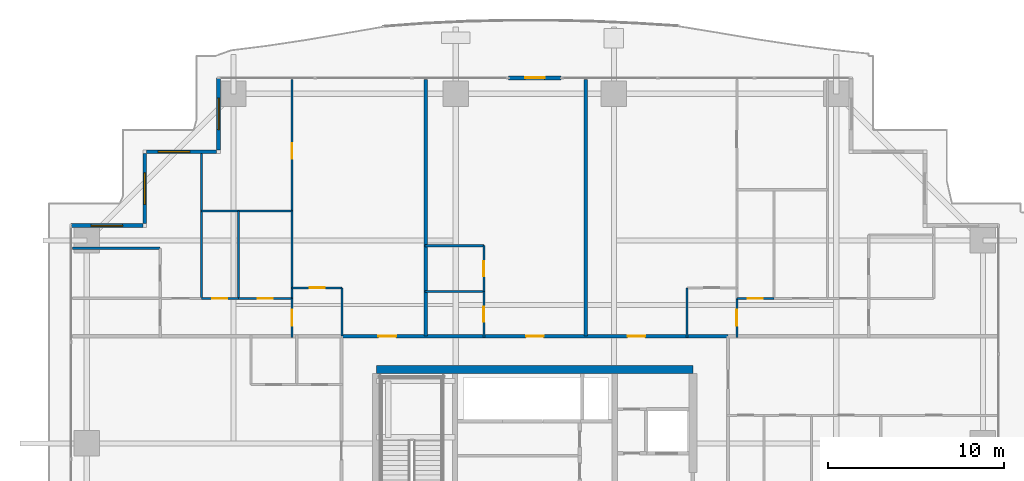
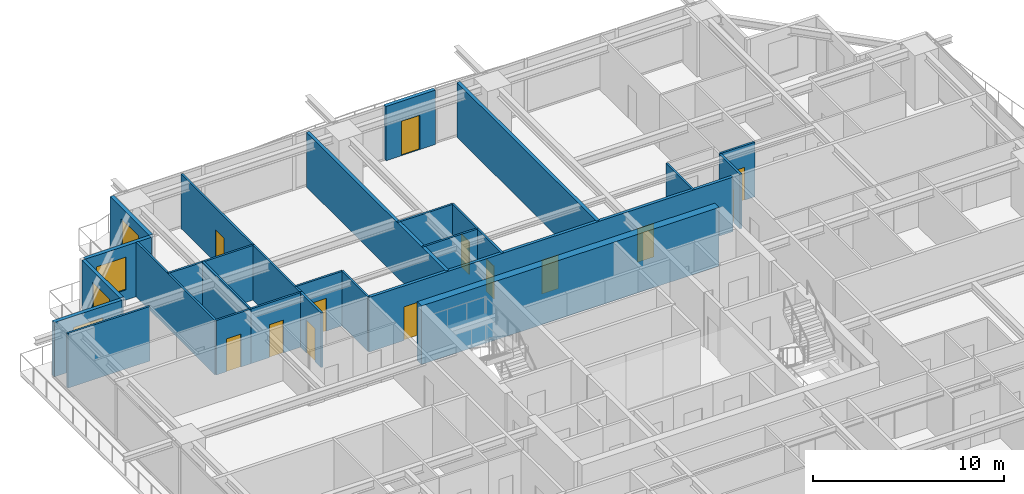
# One storey, part 31 of 38: 27 walls, 13 doors, 4 windows, 17 openings.
"""IFC4 building model written with IfcOpenShell, lengths in metres."""

from ifc_helpers import new_model, si_unit, direction, frame, frame_2d, origin, place, context, subcontext, project, spatial, rectangle, extrude, source, transform, mapped, material, layer, layer_set, type_object, element, fill, save


model = new_model("IFC4")

# Units and contexts
model_context = context("Model", 3, precision=1e-05, world=origin(), true_north=direction((0.0, 1.0)))
body_context = subcontext(model_context, "Body", "Model", "MODEL_VIEW")
ifc_project = project(units=[si_unit("LENGTHUNIT", "METRE"), si_unit("AREAUNIT", "SQUARE_METRE"), si_unit("VOLUMEUNIT", "CUBIC_METRE"), si_unit("PLANEANGLEUNIT", "RADIAN"), si_unit("MASSUNIT", "GRAM", prefix="KILO")], contexts=[model_context])

# Site, building, storey
site_placement = place(None, origin())
site = spatial("IfcSite", under=ifc_project, at=site_placement, CompositionType="ELEMENT")
building_placement = place(site_placement, origin())
building = spatial("IfcBuilding", under=site, at=building_placement, Name="Serunith Strait Residences", CompositionType="ELEMENT")
storey_placement = place(building_placement, frame((0.0, 0.0, 37.949951171875)))
storey = spatial("IfcBuildingStorey", under=building, at=storey_placement, Name="L08", CompositionType="ELEMENT", Elevation=37.949951171875)

# Wall, opening, door
ifc_material_1 = material(Name="Pale-Champagne Aluminium Insulated Panel", Category="aluminium")
ifc_layer_1 = layer(ifc_material_1, 0.219970703125, Name="Pale-Champagne Aluminium Insulated Panel")
ifc_layer_set_1 = layer_set([ifc_layer_1], Name="Pale-Champagne Aluminium Insulated Panel")
wall_type_1 = type_object("IfcWallType", Name="EW-ALUM-220", PredefinedType="ELEMENTEDWALL", material=ifc_layer_set_1)
wall_1_placement = place(storey_placement, frame((33.89990234375, 50.199951171875, 0.0), z_axis=(0.0, 0.0, 1.0), x_axis=(-1.0, 0.0, 0.0)))
wall_1 = element("IfcWall", 1, at=wall_1_placement, inside=storey, type_object=wall_type_1, Name="L08 N Facade Pier Wall", PredefinedType="ELEMENTEDWALL", context=body_context, shape_type="SweptSolid", body=[
    extrude(rectangle(XDim=3.0, YDim=0.219970703125, at=frame_2d((1.5, 0.0))), origin(), (0.0, 0.0, 1.0), 3.47509765625),
])
opening_1_placement = place(wall_1_placement, frame((0.949951171875, 0.0, 0.0)))
opening_1 = element("IfcOpeningElement", 2, at=opening_1_placement, cuts=wall_1, Name="Opening ED-03", PredefinedType="OPENING", context=body_context, shape_type="SweptSolid", body=[
    extrude(rectangle(XDim=1.10009765625, YDim=2.199951171875, at=frame_2d((0.550048828125, 1.10009765625))), frame((0.0, 0.1201171875, 0.0), z_axis=(0.0, -1.0, 0.0), x_axis=(1.0, 0.0, 0.0)), (0.0, 0.0, 1.0), 0.239990234375),
])
ifc_material_2 = material(Name="Thermally-Broken Aluminium Glazed Balcony Door", Category="aluminium")
door_type_1 = type_object("IfcDoorType", Name="ED-BALC-1100", OperationType="NOTDEFINED", PredefinedType="DOOR", material=ifc_material_2)
shared_shape_1 = source(origin(), body_context, "Body", "SweptSolid", [
    extrude(rectangle(XDim=1.10009765625, YDim=2.199951171875, at=frame_2d((0.550048828125, 1.10009765625))), frame((0.0, 0.02490234375, 0.0), z_axis=(0.0, -1.0, 0.0), x_axis=(1.0, 0.0, 0.0)), (0.0, 0.0, 1.0), 0.050048828125),
])
door_1_placement = place(opening_1_placement, origin())
door_1 = element("IfcDoor", 3, at=door_1_placement, inside=storey, type_object=door_type_1, Name="L08 N Vertical-Forest Balcony Door", OperationType="SINGLE_SWING_RIGHT", OverallHeight=2.199951171875, OverallWidth=1.10009765625, PredefinedType="DOOR", context=body_context, shape_type="MappedRepresentation", body=[
    mapped(shared_shape_1, transform((0.0, 0.0, 0.0), scale=1.0)),
])
fill(opening_1, door_1)

# Wall, opening, window
wall_2_placement = place(storey_placement, frame((14.39990234375, 50.199951171875, 0.0), z_axis=(0.0, 0.0, 1.0), x_axis=(0.0, -1.0, 0.0)))
wall_2 = element("IfcWall", 4, at=wall_2_placement, inside=storey, type_object=wall_type_1, Name="L08 Girih Serrated Corner Wall 12", PredefinedType="ELEMENTEDWALL", context=body_context, shape_type="SweptSolid", body=[
    extrude(rectangle(XDim=4.08984375, YDim=0.219970703125, at=frame_2d((2.044921875, 0.0))), origin(), (0.0, 0.0, 1.0), 3.47509765625),
])
opening_2_placement = place(wall_2_placement, frame((1.14501953125, 0.0, 0.64990234375)))
opening_2 = element("IfcOpeningElement", 5, at=opening_2_placement, cuts=wall_2, Name="Opening W-01", PredefinedType="OPENING", context=body_context, shape_type="SweptSolid", body=[
    extrude(rectangle(XDim=1.800048828125, YDim=2.10009765625, at=frame_2d((0.89990234375, 1.050048828125))), frame((0.0, 0.1201171875, 0.0), z_axis=(0.0, -1.0, 0.0), x_axis=(1.0, 0.0, 0.0)), (0.0, 0.0, 1.0), 0.239990234375),
])
ifc_material_3 = material(Name="Ceramic-Fritted Operable Aluminium Window Glass", Category="aluminium")
window_type = type_object("IfcWindowType", Name="WIN-C1", PartitioningType="DOUBLE_PANEL_VERTICAL", PredefinedType="WINDOW", material=ifc_material_3)
shared_shape_2 = source(origin(), body_context, "Body", "SweptSolid", [
    extrude(rectangle(XDim=1.800048828125, YDim=2.10009765625, at=frame_2d((0.89990234375, 1.050048828125))), frame((0.0, 0.030029296875, 0.0), z_axis=(0.0, -1.0, 0.0), x_axis=(1.0, 0.0, 0.0)), (0.0, 0.0, 1.0), 0.06005859375),
])
window_1_placement = place(opening_2_placement, origin())
window_1 = element("IfcWindow", 6, at=window_1_placement, inside=storey, type_object=window_type, Name="L08 Corner Operable Fritted Window 12", OverallHeight=2.10009765625, OverallWidth=1.800048828125, PartitioningType="SINGLE_PANEL", PredefinedType="WINDOW", context=body_context, shape_type="MappedRepresentation", body=[
    mapped(shared_shape_2, transform((0.0, 0.0, 0.0), scale=1.0)),
])
fill(opening_2, window_1)

wall_3_placement = place(storey_placement, frame((14.2900390625, 46.0, 0.0), z_axis=(0.0, 0.0, 1.0), x_axis=(-1.0, 0.0, 0.0)))
wall_3 = element("IfcWall", 7, at=wall_3_placement, inside=storey, type_object=wall_type_1, Name="L08 Girih Serrated Corner Wall 13", PredefinedType="ELEMENTEDWALL", context=body_context, shape_type="SweptSolid", body=[
    extrude(rectangle(XDim=3.97998046875, YDim=0.219970703125, at=frame_2d((1.989990234375, 0.0))), origin(), (0.0, 0.0, 1.0), 3.47509765625),
])
opening_3_placement = place(wall_3_placement, frame((1.52587890625, 0.0, 0.64990234375)))
opening_3 = element("IfcOpeningElement", 8, at=opening_3_placement, cuts=wall_3, Name="Opening W-01", PredefinedType="OPENING", context=body_context, shape_type="SweptSolid", body=[
    extrude(rectangle(XDim=1.800048828125, YDim=2.10009765625, at=frame_2d((0.89990234375, 1.050048828125))), frame((0.0, 0.1201171875, 0.0), z_axis=(0.0, -1.0, 0.0), x_axis=(1.0, 0.0, 0.0)), (0.0, 0.0, 1.0), 0.239990234375),
])
window_2_placement = place(opening_3_placement, origin())
window_2 = element("IfcWindow", 9, at=window_2_placement, inside=storey, type_object=window_type, Name="L08 Corner Operable Fritted Window 13", OverallHeight=2.10009765625, OverallWidth=1.800048828125, PartitioningType="SINGLE_PANEL", PredefinedType="WINDOW", context=body_context, shape_type="MappedRepresentation", body=[
    mapped(shared_shape_2, transform((0.0, 0.0, 0.0), scale=1.0)),
])
fill(opening_3, window_2)

wall_4_placement = place(storey_placement, frame((10.199951171875, 45.889892578125, 0.0), z_axis=(0.0, 0.0, 1.0), x_axis=(0.0, -1.0, 0.0)))
wall_4 = element("IfcWall", 10, at=wall_4_placement, inside=storey, type_object=wall_type_1, Name="L08 Girih Serrated Corner Wall 14", PredefinedType="ELEMENTEDWALL", context=body_context, shape_type="SweptSolid", body=[
    extrude(rectangle(XDim=3.97998046875, YDim=0.219970703125, at=frame_2d((1.989990234375, 0.0))), origin(), (0.0, 0.0, 1.0), 3.47509765625),
])
opening_4_placement = place(wall_4_placement, frame((1.090087890625, 0.0, 0.64990234375)))
opening_4 = element("IfcOpeningElement", 11, at=opening_4_placement, cuts=wall_4, Name="Opening W-01", PredefinedType="OPENING", context=body_context, shape_type="SweptSolid", body=[
    extrude(rectangle(XDim=1.800048828125, YDim=2.10009765625, at=frame_2d((0.89990234375, 1.050048828125))), frame((0.0, 0.1201171875, 0.0), z_axis=(0.0, -1.0, 0.0), x_axis=(1.0, 0.0, 0.0)), (0.0, 0.0, 1.0), 0.239990234375),
])
window_3_placement = place(opening_4_placement, origin())
window_3 = element("IfcWindow", 12, at=window_3_placement, inside=storey, type_object=window_type, Name="L08 Corner Operable Fritted Window 14", OverallHeight=2.10009765625, OverallWidth=1.800048828125, PartitioningType="SINGLE_PANEL", PredefinedType="WINDOW", context=body_context, shape_type="MappedRepresentation", body=[
    mapped(shared_shape_2, transform((0.0, 0.0, 0.0), scale=1.0)),
])
fill(opening_4, window_3)

wall_5_placement = place(storey_placement, frame((10.090087890625, 41.800048828125, 0.0), z_axis=(0.0, 0.0, 1.0), x_axis=(-1.0, 0.0, 0.0)))
wall_5 = element("IfcWall", 13, at=wall_5_placement, inside=storey, type_object=wall_type_1, Name="L08 Girih Serrated Corner Wall 15", PredefinedType="ELEMENTEDWALL", context=body_context, shape_type="SweptSolid", body=[
    extrude(rectangle(XDim=4.090087890625, YDim=0.219970703125, at=frame_2d((2.044921875, 0.0))), origin(), (0.0, 0.0, 1.0), 3.47509765625),
])
opening_5_placement = place(wall_5_placement, frame((1.14501953125, 0.0, 0.64990234375)))
opening_5 = element("IfcOpeningElement", 14, at=opening_5_placement, cuts=wall_5, Name="Opening W-01", PredefinedType="OPENING", context=body_context, shape_type="SweptSolid", body=[
    extrude(rectangle(XDim=1.800048828125, YDim=2.10009765625, at=frame_2d((0.89990234375, 1.050048828125))), frame((0.0, 0.1201171875, 0.0), z_axis=(0.0, -1.0, 0.0), x_axis=(1.0, 0.0, 0.0)), (0.0, 0.0, 1.0), 0.239990234375),
])
window_4_placement = place(opening_5_placement, origin())
window_4 = element("IfcWindow", 15, at=window_4_placement, inside=storey, type_object=window_type, Name="L08 Corner Operable Fritted Window 15", OverallHeight=2.10009765625, OverallWidth=1.800048828125, PartitioningType="SINGLE_PANEL", PredefinedType="WINDOW", context=body_context, shape_type="MappedRepresentation", body=[
    mapped(shared_shape_2, transform((0.0, 0.0, 0.0), scale=1.0)),
])
fill(opening_5, window_4)

# Wall, openings, doors
ifc_material_4 = material(Name="Fire-rated acoustic gypsum partition")
ifc_layer_2 = layer(ifc_material_4, 0.179931640625, Name="Fire-rated acoustic gypsum partition")
ifc_layer_set_2 = layer_set([ifc_layer_2], Name="Fire-rated acoustic gypsum partition")
wall_type_2 = type_object("IfcWallType", Name="IW-CORR-180", PredefinedType="PARTITIONING", material=ifc_layer_set_2)
wall_6_placement = place(storey_placement, frame((21.402099609375, 35.5, 0.0), z_axis=(0.0, 0.0, 1.0), x_axis=(1.0, 0.0, 0.0)))
wall_6 = element("IfcWall", 16, at=wall_6_placement, inside=storey, type_object=wall_type_2, Name="L08 Partition Wall 028", PredefinedType="PARTITIONING", context=body_context, shape_type="SweptSolid", body=[
    extrude(rectangle(XDim=21.995849609375, YDim=0.179931640625, at=frame_2d((10.998046875, 0.0))), origin(), (0.0, 0.0, 1.0), 3.489990234375),
])
opening_6_placement = place(wall_6_placement, frame((2.10009765625, 0.0, 0.0)))
opening_6 = element("IfcOpeningElement", 17, at=opening_6_placement, cuts=wall_6, Name="Opening D-APT1000", PredefinedType="OPENING", context=body_context, shape_type="SweptSolid", body=[
    extrude(rectangle(XDim=1.0, YDim=2.14990234375, at=frame_2d((0.5, 1.074951171875))), frame((0.0, 0.10009765625, 0.0), z_axis=(0.0, -1.0, 0.0), x_axis=(1.0, 0.0, 0.0)), (0.0, 0.0, 1.0), 0.199951171875),
])
opening_7_placement = place(wall_6_placement, frame((10.498046875, 0.0, 0.0)))
opening_7 = element("IfcOpeningElement", 18, at=opening_7_placement, cuts=wall_6, Name="Opening D-APT1000", PredefinedType="OPENING", context=body_context, shape_type="SweptSolid", body=[
    extrude(rectangle(XDim=1.0, YDim=2.14990234375, at=frame_2d((0.5, 1.074951171875))), frame((0.0, 0.10009765625, 0.0), z_axis=(0.0, -1.0, 0.0), x_axis=(1.0, 0.0, 0.0)), (0.0, 0.0, 1.0), 0.199951171875),
])
opening_8_placement = place(wall_6_placement, frame((16.27197265625, 0.0, 0.0)))
opening_8 = element("IfcOpeningElement", 19, at=opening_8_placement, cuts=wall_6, Name="Opening D-APT1000", PredefinedType="OPENING", context=body_context, shape_type="SweptSolid", body=[
    extrude(rectangle(XDim=1.0, YDim=2.14990234375, at=frame_2d((0.5, 1.074951171875))), frame((0.0, 0.10009765625, 0.0), z_axis=(0.0, -1.0, 0.0), x_axis=(1.0, 0.0, 0.0)), (0.0, 0.0, 1.0), 0.199951171875),
])
ifc_material_5 = material(Name="Solid timber engineered fire door", Category="wood")
door_type_2 = type_object("IfcDoorType", Name="ID-APT-1000", OperationType="NOTDEFINED", PredefinedType="DOOR", material=ifc_material_5)
shared_shape_3 = source(origin(), body_context, "Body", "SweptSolid", [
    extrude(rectangle(XDim=1.0, YDim=2.14990234375, at=frame_2d((0.5, 1.074951171875))), frame((0.0, 0.02490234375, 0.0), z_axis=(0.0, -1.0, 0.0), x_axis=(1.0, 0.0, 0.0)), (0.0, 0.0, 1.0), 0.050048828125),
])
door_2_placement = place(opening_6_placement, origin())
door_2 = element("IfcDoor", 20, at=door_2_placement, inside=storey, type_object=door_type_2, Name="L08 Unit 04 Entrance Door", OperationType="SINGLE_SWING_LEFT", OverallHeight=2.14990234375, OverallWidth=1.0, PredefinedType="DOOR", context=body_context, shape_type="MappedRepresentation", body=[
    mapped(shared_shape_3, transform((0.0, 0.0, 0.0), scale=1.0)),
])
fill(opening_6, door_2)
door_3_placement = place(opening_7_placement, origin())
door_3 = element("IfcDoor", 21, at=door_3_placement, inside=storey, type_object=door_type_2, Name="L08 Unit 05 Entrance Door", OperationType="SINGLE_SWING_RIGHT", OverallHeight=2.14990234375, OverallWidth=1.0, PredefinedType="DOOR", context=body_context, shape_type="MappedRepresentation", body=[
    mapped(shared_shape_3, transform((0.0, 0.0, 0.0), scale=1.0)),
])
fill(opening_7, door_3)
door_4_placement = place(opening_8_placement, origin())
door_4 = element("IfcDoor", 22, at=door_4_placement, inside=storey, type_object=door_type_2, Name="L08 Unit 06 Entrance Door", OperationType="SINGLE_SWING_LEFT", OverallHeight=2.14990234375, OverallWidth=1.0, PredefinedType="DOOR", context=body_context, shape_type="MappedRepresentation", body=[
    mapped(shared_shape_3, transform((0.0, 0.0, 0.0), scale=1.0)),
])
fill(opening_8, door_4)

# Wall, opening, door
ifc_material_6 = material(Name="Lightweight steel-stud gypsum partition", Category="steel")
ifc_layer_3 = layer(ifc_material_6, 0.1201171875, Name="Lightweight steel-stud gypsum partition")
ifc_layer_set_3 = layer_set([ifc_layer_3], Name="Lightweight steel-stud gypsum partition")
wall_type_3 = type_object("IfcWallType", Name="IW-PART-120", PredefinedType="PARTITIONING", material=ifc_layer_set_3)
wall_7_placement = place(storey_placement, frame((18.580078125, 38.25, 0.0), z_axis=(0.0, 0.0, 1.0), x_axis=(1.0, 0.0, 0.0)))
wall_7 = element("IfcWall", 23, at=wall_7_placement, inside=storey, type_object=wall_type_3, Name="L08 Partition Wall 068", PredefinedType="PARTITIONING", context=body_context, shape_type="SweptSolid", body=[
    extrude(rectangle(XDim=2.849853515625, YDim=0.1201171875, at=frame_2d((1.4248046875, 0.0))), origin(), (0.0, 0.0, 1.0), 3.489990234375),
])
opening_9_placement = place(wall_7_placement, frame((1.0, 0.0, 0.0)))
opening_9 = element("IfcOpeningElement", 24, at=opening_9_placement, cuts=wall_7, Name="Opening D-RM850", PredefinedType="OPENING", context=body_context, shape_type="SweptSolid", body=[
    extrude(rectangle(XDim=0.85009765625, YDim=2.10009765625, at=frame_2d((0.425048828125, 1.050048828125))), frame((0.0, 0.070068359375, 0.0), z_axis=(0.0, -1.0, 0.0), x_axis=(1.0, 0.0, 0.0)), (0.0, 0.0, 1.0), 0.14013671875),
])
ifc_material_7 = material(Name="Engineered timber flush study and kitchen door", Category="wood")
door_type_3 = type_object("IfcDoorType", Name="ID-ROOM-850", OperationType="NOTDEFINED", PredefinedType="DOOR", material=ifc_material_7)
shared_shape_4 = source(origin(), body_context, "Body", "SweptSolid", [
    extrude(rectangle(XDim=0.85009765625, YDim=2.10009765625, at=frame_2d((0.425048828125, 1.050048828125))), frame((0.0, 0.02490234375, 0.0), z_axis=(0.0, -1.0, 0.0), x_axis=(1.0, 0.0, 0.0)), (0.0, 0.0, 1.0), 0.050048828125),
])
door_5_placement = place(opening_9_placement, origin())
door_5 = element("IfcDoor", 25, at=door_5_placement, inside=storey, type_object=door_type_3, Name="L08 Kitchen 0804 Door", OperationType="SINGLE_SWING_RIGHT", OverallHeight=2.10009765625, OverallWidth=0.85009765625, PredefinedType="DOOR", context=body_context, shape_type="MappedRepresentation", body=[
    mapped(shared_shape_4, transform((0.0, 0.0, 0.0), scale=1.0)),
])
fill(opening_9, door_5)

# Wall
wall_8_placement = place(storey_placement, frame((21.429931640625, 38.25, 0.0), z_axis=(0.0, 0.0, 1.0), x_axis=(0.0, -1.0, 0.0)))
element("IfcWall", 26, at=wall_8_placement, inside=storey, type_object=wall_type_3, Name="L08 Partition Wall 069", PredefinedType="PARTITIONING", context=body_context, shape_type="SweptSolid", body=[
    extrude(rectangle(XDim=2.748046875, YDim=0.1201171875, at=frame_2d((1.3740234375, 0.0))), origin(), (0.0, 0.0, 1.0), 3.489990234375),
])

# Wall, opening, door
wall_9_placement = place(storey_placement, frame((18.580078125, 37.64990234375, 0.0), z_axis=(0.0, 0.0, 1.0), x_axis=(0.0, -1.0, 0.0)))
wall_9 = element("IfcWall", 27, at=wall_9_placement, inside=storey, type_object=wall_type_3, Name="L08 Partition Wall 070", PredefinedType="PARTITIONING", context=body_context, shape_type="SweptSolid", body=[
    extrude(rectangle(XDim=2.2099609375, YDim=0.1201171875, at=frame_2d((1.10498046875, 0.0))), origin(), (0.0, 0.0, 1.0), 3.489990234375),
])
opening_10_placement = place(wall_9_placement, frame((0.655029296875, 0.0, 0.0)))
opening_10 = element("IfcOpeningElement", 28, at=opening_10_placement, cuts=wall_9, Name="Opening D-RM900", PredefinedType="OPENING", context=body_context, shape_type="SweptSolid", body=[
    extrude(rectangle(XDim=0.89990234375, YDim=2.10009765625, at=frame_2d((0.449951171875, 1.050048828125))), frame((0.0, 0.070068359375, 0.0), z_axis=(0.0, -1.0, 0.0), x_axis=(1.0, 0.0, 0.0)), (0.0, 0.0, 1.0), 0.14013671875),
])
ifc_material_8 = material(Name="Engineered timber flush bedroom door", Category="wood")
door_type_4 = type_object("IfcDoorType", Name="ID-ROOM-900", OperationType="NOTDEFINED", PredefinedType="DOOR", material=ifc_material_8)
shared_shape_5 = source(origin(), body_context, "Body", "SweptSolid", [
    extrude(rectangle(XDim=0.89990234375, YDim=2.10009765625, at=frame_2d((0.449951171875, 1.050048828125))), frame((0.0, 0.02490234375, 0.0), z_axis=(0.0, -1.0, 0.0), x_axis=(1.0, 0.0, 0.0)), (0.0, 0.0, 1.0), 0.050048828125),
])
door_6_placement = place(opening_10_placement, origin())
door_6 = element("IfcDoor", 29, at=door_6_placement, inside=storey, type_object=door_type_4, Name="L08 Hall W 0804 Door", OperationType="SINGLE_SWING_LEFT", OverallHeight=2.10009765625, OverallWidth=0.89990234375, PredefinedType="DOOR", context=body_context, shape_type="MappedRepresentation", body=[
    mapped(shared_shape_5, transform((0.0, 0.0, 0.0), scale=1.0)),
])
fill(opening_10, door_6)

wall_10_placement = place(storey_placement, frame((18.580078125, 50.10498046875, 0.0), z_axis=(0.0, 0.0, 1.0), x_axis=(0.0, -1.0, 0.0)))
wall_10 = element("IfcWall", 30, at=wall_10_placement, inside=storey, type_object=wall_type_3, Name="L08 Partition Wall 071", PredefinedType="PARTITIONING", context=body_context, shape_type="SweptSolid", body=[
    extrude(rectangle(XDim=7.47900390625, YDim=0.1201171875, at=frame_2d((3.739501953125, 0.0))), origin(), (0.0, 0.0, 1.0), 3.489990234375),
])
opening_11_placement = place(wall_10_placement, frame((3.617919921875, 0.0, 0.0)))
opening_11 = element("IfcOpeningElement", 31, at=opening_11_placement, cuts=wall_10, Name="Opening D-RM900", PredefinedType="OPENING", context=body_context, shape_type="SweptSolid", body=[
    extrude(rectangle(XDim=0.89990234375, YDim=2.10009765625, at=frame_2d((0.449951171875, 1.050048828125))), frame((0.0, 0.070068359375, 0.0), z_axis=(0.0, -1.0, 0.0), x_axis=(1.0, 0.0, 0.0)), (0.0, 0.0, 1.0), 0.14013671875),
])
door_7_placement = place(opening_11_placement, origin())
door_7 = element("IfcDoor", 32, at=door_7_placement, inside=storey, type_object=door_type_4, Name="L08 Formal Dining Room 1 0804 Door", OperationType="SINGLE_SWING_RIGHT", OverallHeight=2.10009765625, OverallWidth=0.89990234375, PredefinedType="DOOR", context=body_context, shape_type="MappedRepresentation", body=[
    mapped(shared_shape_5, transform((0.0, 0.0, 0.0), scale=1.0)),
])
fill(opening_11, door_7)

# Walls
wall_11_placement = place(storey_placement, frame((18.580078125, 42.6240234375, 0.0), z_axis=(0.0, 0.0, 1.0), x_axis=(0.0, -1.0, 0.0)))
element("IfcWall", 33, at=wall_11_placement, inside=storey, type_object=wall_type_3, Name="L08 Partition Wall 072", PredefinedType="PARTITIONING", context=body_context, shape_type="SweptSolid", body=[
    extrude(rectangle(XDim=4.971923828125, YDim=0.1201171875, at=frame_2d((2.48583984375, 0.0))), origin(), (0.0, 0.0, 1.0), 3.489990234375),
])
wall_12_placement = place(storey_placement, frame((13.429931640625, 42.6259765625, 0.0), z_axis=(0.0, 0.0, 1.0), x_axis=(1.0, 0.0, 0.0)))
element("IfcWall", 34, at=wall_12_placement, inside=storey, type_object=wall_type_3, Name="L08 Partition Wall 073", PredefinedType="PARTITIONING", context=body_context, shape_type="SweptSolid", body=[
    extrude(rectangle(XDim=5.150146484375, YDim=0.1201171875, at=frame_2d((2.5751953125, 0.0))), origin(), (0.0, 0.0, 1.0), 3.489990234375),
])
wall_13_placement = place(storey_placement, frame((13.429931640625, 45.905029296875, 0.0), z_axis=(0.0, 0.0, 1.0), x_axis=(0.0, -1.0, 0.0)))
element("IfcWall", 35, at=wall_13_placement, inside=storey, type_object=wall_type_3, Name="L08 Partition Wall 074", PredefinedType="PARTITIONING", context=body_context, shape_type="SweptSolid", body=[
    extrude(rectangle(XDim=8.255126953125, YDim=0.1201171875, at=frame_2d((4.12744140625, 0.0))), origin(), (0.0, 0.0, 1.0), 3.489990234375),
])
wall_14_placement = place(storey_placement, frame((15.530029296875, 42.6259765625, 0.0), z_axis=(0.0, 0.0, 1.0), x_axis=(0.0, -1.0, 0.0)))
element("IfcWall", 36, at=wall_14_placement, inside=storey, type_object=wall_type_3, Name="L08 Partition Wall 075", PredefinedType="PARTITIONING", context=body_context, shape_type="SweptSolid", body=[
    extrude(rectangle(XDim=4.97607421875, YDim=0.1201171875, at=frame_2d((2.488037109375, 0.0))), origin(), (0.0, 0.0, 1.0), 3.489990234375),
])

# Wall, opening, door
wall_15_placement = place(storey_placement, frame((13.429931640625, 37.64990234375, 0.0), z_axis=(0.0, 0.0, 1.0), x_axis=(1.0, 0.0, 0.0)))
wall_15 = element("IfcWall", 37, at=wall_15_placement, inside=storey, type_object=wall_type_3, Name="L08 Partition Wall 076", PredefinedType="PARTITIONING", context=body_context, shape_type="SweptSolid", body=[
    extrude(rectangle(XDim=2.10009765625, YDim=0.1201171875, at=frame_2d((1.050048828125, 0.0))), origin(), (0.0, 0.0, 1.0), 3.489990234375),
])
opening_12_placement = place(wall_15_placement, frame((0.625, 0.0, 0.0)))
opening_12 = element("IfcOpeningElement", 38, at=opening_12_placement, cuts=wall_15, Name="Opening D-BTH850", PredefinedType="OPENING", context=body_context, shape_type="SweptSolid", body=[
    extrude(rectangle(XDim=0.85009765625, YDim=2.10009765625, at=frame_2d((0.425048828125, 1.050048828125))), frame((0.0, 0.070068359375, 0.0), z_axis=(0.0, -1.0, 0.0), x_axis=(1.0, 0.0, 0.0)), (0.0, 0.0, 1.0), 0.14013671875),
])
ifc_material_9 = material(Name="Moisture-resistant timber bathroom door", Category="wood")
door_type_5 = type_object("IfcDoorType", Name="ID-BATH-850", OperationType="NOTDEFINED", PredefinedType="DOOR", material=ifc_material_9)
door_8_placement = place(opening_12_placement, origin())
door_8 = element("IfcDoor", 39, at=door_8_placement, inside=storey, type_object=door_type_5, Name="L08 Bathroom 0804 Door", OperationType="SINGLE_SWING_LEFT", OverallHeight=2.10009765625, OverallWidth=0.85009765625, PredefinedType="DOOR", context=body_context, shape_type="MappedRepresentation", body=[
    mapped(shared_shape_4, transform((0.0, 0.0, 0.0), scale=1.0)),
])
fill(opening_12, door_8)

wall_16_placement = place(storey_placement, frame((15.531982421875, 37.64990234375, 0.0), z_axis=(0.0, 0.0, 1.0), x_axis=(1.0, 0.0, 0.0)))
wall_16 = element("IfcWall", 40, at=wall_16_placement, inside=storey, type_object=wall_type_3, Name="L08 Partition Wall 077", PredefinedType="PARTITIONING", context=body_context, shape_type="SweptSolid", body=[
    extrude(rectangle(XDim=3.048095703125, YDim=0.1201171875, at=frame_2d((1.52392578125, 0.0))), origin(), (0.0, 0.0, 1.0), 3.489990234375),
])
opening_13_placement = place(wall_16_placement, frame((1.09912109375, 0.0, 0.0)))
opening_13 = element("IfcOpeningElement", 41, at=opening_13_placement, cuts=wall_16, Name="Opening D-RM850", PredefinedType="OPENING", context=body_context, shape_type="SweptSolid", body=[
    extrude(rectangle(XDim=0.85009765625, YDim=2.10009765625, at=frame_2d((0.425048828125, 1.050048828125))), frame((0.0, 0.070068359375, 0.0), z_axis=(0.0, -1.0, 0.0), x_axis=(1.0, 0.0, 0.0)), (0.0, 0.0, 1.0), 0.14013671875),
])
door_9_placement = place(opening_13_placement, origin())
door_9 = element("IfcDoor", 42, at=door_9_placement, inside=storey, type_object=door_type_3, Name="L08 Formal Dining Room 0804 Door", OperationType="SINGLE_SWING_RIGHT", OverallHeight=2.10009765625, OverallWidth=0.85009765625, PredefinedType="DOOR", context=body_context, shape_type="MappedRepresentation", body=[
    mapped(shared_shape_4, transform((0.0, 0.0, 0.0), scale=1.0)),
])
fill(opening_13, door_9)

# Wall
wall_17_placement = place(storey_placement, frame((6.094970703125, 40.506103515625, 0.0), z_axis=(0.0, 0.0, 1.0), x_axis=(1.0, 0.0, 0.0)))
element("IfcWall", 43, at=wall_17_placement, inside=storey, type_object=wall_type_3, Name="L08 Partition Wall 079", PredefinedType="PARTITIONING", context=body_context, shape_type="SweptSolid", body=[
    extrude(rectangle(XDim=4.985107421875, YDim=0.1201171875, at=frame_2d((2.49267578125, 0.0))), origin(), (0.0, 0.0, 1.0), 3.489990234375),
])

# Wall, opening, door
wall_18_placement = place(storey_placement, frame((29.5, 40.64990234375, 0.0), z_axis=(0.0, 0.0, 1.0), x_axis=(0.0, -1.0, 0.0)))
wall_18 = element("IfcWall", 44, at=wall_18_placement, inside=storey, type_object=wall_type_3, Name="L08 Partition Wall 083", PredefinedType="PARTITIONING", context=body_context, shape_type="SweptSolid", body=[
    extrude(rectangle(XDim=2.599853515625, YDim=0.1201171875, at=frame_2d((1.2998046875, 0.0))), origin(), (0.0, 0.0, 1.0), 3.489990234375),
])
opening_14_placement = place(wall_18_placement, frame((0.875, 0.0, 0.0)))
opening_14 = element("IfcOpeningElement", 45, at=opening_14_placement, cuts=wall_18, Name="Opening D-RM850", PredefinedType="OPENING", context=body_context, shape_type="SweptSolid", body=[
    extrude(rectangle(XDim=0.85009765625, YDim=2.10009765625, at=frame_2d((0.425048828125, 1.050048828125))), frame((0.0, 0.070068359375, 0.0), z_axis=(0.0, -1.0, 0.0), x_axis=(1.0, 0.0, 0.0)), (0.0, 0.0, 1.0), 0.14013671875),
])
door_10_placement = place(opening_14_placement, origin())
door_10 = element("IfcDoor", 46, at=door_10_placement, inside=storey, type_object=door_type_3, Name="L08 Kitchen 0805 Door", OperationType="SINGLE_SWING_RIGHT", OverallHeight=2.10009765625, OverallWidth=0.85009765625, PredefinedType="DOOR", context=body_context, shape_type="MappedRepresentation", body=[
    mapped(shared_shape_4, transform((0.0, 0.0, 0.0), scale=1.0)),
])
fill(opening_14, door_10)

wall_19_placement = place(storey_placement, frame((29.5, 38.048095703125, 0.0), z_axis=(0.0, 0.0, 1.0), x_axis=(0.0, -1.0, 0.0)))
wall_19 = element("IfcWall", 47, at=wall_19_placement, inside=storey, type_object=wall_type_3, Name="L08 Partition Wall 084", PredefinedType="PARTITIONING", context=body_context, shape_type="SweptSolid", body=[
    extrude(rectangle(XDim=2.608154296875, YDim=0.1201171875, at=frame_2d((1.30419921875, 0.0))), origin(), (0.0, 0.0, 1.0), 3.489990234375),
])
opening_15_placement = place(wall_19_placement, frame((0.87890625, 0.0, 0.0)))
opening_15 = element("IfcOpeningElement", 48, at=opening_15_placement, cuts=wall_19, Name="Opening D-BTH850", PredefinedType="OPENING", context=body_context, shape_type="SweptSolid", body=[
    extrude(rectangle(XDim=0.85009765625, YDim=2.10009765625, at=frame_2d((0.425048828125, 1.050048828125))), frame((0.0, 0.070068359375, 0.0), z_axis=(0.0, -1.0, 0.0), x_axis=(1.0, 0.0, 0.0)), (0.0, 0.0, 1.0), 0.14013671875),
])
door_11_placement = place(opening_15_placement, origin())
door_11 = element("IfcDoor", 49, at=door_11_placement, inside=storey, type_object=door_type_5, Name="L08 Bathroom 0805 Door", OperationType="SINGLE_SWING_LEFT", OverallHeight=2.10009765625, OverallWidth=0.85009765625, PredefinedType="DOOR", context=body_context, shape_type="MappedRepresentation", body=[
    mapped(shared_shape_4, transform((0.0, 0.0, 0.0), scale=1.0)),
])
fill(opening_15, door_11)

# Walls
for number, where, z_axis, x_axis, name in (
    (50, (26.139892578125, 38.050048828125, 0.0), (0.0, 0.0, 1.0), (1.0, 0.0, 0.0), "L08 Partition Wall 085"),
    (51, (26.139892578125, 40.64990234375, 0.0), (0.0, 0.0, 1.0), (1.0, 0.0, 0.0), "L08 Partition Wall 086"),
):
    element("IfcWall", number, at=place(storey_placement, frame(where, z_axis=z_axis, x_axis=x_axis)), inside=storey, type_object=wall_type_3, Name=name, PredefinedType="PARTITIONING", context=body_context, shape_type="SweptSolid", body=[
        extrude(rectangle(XDim=3.360107421875, YDim=0.1201171875, at=frame_2d((1.68017578125, 0.0))), origin(), (0.0, 0.0, 1.0), 3.489990234375),
    ])
wall_20_placement = place(storey_placement, frame((41.050048828125, 38.25, 0.0), z_axis=(0.0, 0.0, 1.0), x_axis=(0.0, -1.0, 0.0)))
element("IfcWall", 52, at=wall_20_placement, inside=storey, type_object=wall_type_3, Name="L08 Partition Wall 088", PredefinedType="PARTITIONING", context=body_context, shape_type="SweptSolid", body=[
    extrude(rectangle(XDim=2.81005859375, YDim=0.1201171875, at=frame_2d((1.405029296875, 0.0))), origin(), (0.0, 0.0, 1.0), 3.489990234375),
])

# Wall, opening, door
wall_21_placement = place(storey_placement, frame((43.89990234375, 37.64990234375, 0.0), z_axis=(0.0, 0.0, 1.0), x_axis=(0.0, -1.0, 0.0)))
wall_21 = element("IfcWall", 53, at=wall_21_placement, inside=storey, type_object=wall_type_3, Name="L08 Partition Wall 089", PredefinedType="PARTITIONING", context=body_context, shape_type="SweptSolid", body=[
    extrude(rectangle(XDim=2.2099609375, YDim=0.1201171875, at=frame_2d((1.10498046875, 0.0))), origin(), (0.0, 0.0, 1.0), 3.489990234375),
])
opening_16_placement = place(wall_21_placement, frame((0.655029296875, 0.0, 0.0)))
opening_16 = element("IfcOpeningElement", 54, at=opening_16_placement, cuts=wall_21, Name="Opening D-RM900", PredefinedType="OPENING", context=body_context, shape_type="SweptSolid", body=[
    extrude(rectangle(XDim=0.89990234375, YDim=2.10009765625, at=frame_2d((0.449951171875, 1.050048828125))), frame((0.0, 0.070068359375, 0.0), z_axis=(0.0, -1.0, 0.0), x_axis=(1.0, 0.0, 0.0)), (0.0, 0.0, 1.0), 0.14013671875),
])
door_12_placement = place(opening_16_placement, origin())
door_12 = element("IfcDoor", 55, at=door_12_placement, inside=storey, type_object=door_type_4, Name="L08 Hall E 0806 Door", OperationType="SINGLE_SWING_LEFT", OverallHeight=2.10009765625, OverallWidth=0.89990234375, PredefinedType="DOOR", context=body_context, shape_type="MappedRepresentation", body=[
    mapped(shared_shape_5, transform((0.0, 0.0, 0.0), scale=1.0)),
])
fill(opening_16, door_12)

wall_22_placement = place(storey_placement, frame((43.89990234375, 37.64990234375, 0.0), z_axis=(0.0, 0.0, 1.0), x_axis=(1.0, 0.0, 0.0)))
wall_22 = element("IfcWall", 56, at=wall_22_placement, inside=storey, type_object=wall_type_3, Name="L08 Partition Wall 095", PredefinedType="PARTITIONING", context=body_context, shape_type="SweptSolid", body=[
    extrude(rectangle(XDim=2.10009765625, YDim=0.1201171875, at=frame_2d((1.050048828125, 0.0))), origin(), (0.0, 0.0, 1.0), 3.489990234375),
])
opening_17_placement = place(wall_22_placement, frame((0.625, 0.0, 0.0)))
opening_17 = element("IfcOpeningElement", 57, at=opening_17_placement, cuts=wall_22, Name="Opening D-BTH850", PredefinedType="OPENING", context=body_context, shape_type="SweptSolid", body=[
    extrude(rectangle(XDim=0.85009765625, YDim=2.10009765625, at=frame_2d((0.425048828125, 1.050048828125))), frame((0.0, 0.070068359375, 0.0), z_axis=(0.0, -1.0, 0.0), x_axis=(1.0, 0.0, 0.0)), (0.0, 0.0, 1.0), 0.14013671875),
])
door_13_placement = place(opening_17_placement, origin())
door_13 = element("IfcDoor", 58, at=door_13_placement, inside=storey, type_object=door_type_5, Name="L08 Bathroom 0806 Door", OperationType="SINGLE_SWING_LEFT", OverallHeight=2.10009765625, OverallWidth=0.85009765625, PredefinedType="DOOR", context=body_context, shape_type="MappedRepresentation", body=[
    mapped(shared_shape_4, transform((0.0, 0.0, 0.0), scale=1.0)),
])
fill(opening_17, door_13)

# Walls
ifc_material_10 = material(Name="Twin-stud acoustic gypsum board partition")
ifc_layer_4 = layer(ifc_material_10, 0.199951171875, Name="Twin-stud acoustic gypsum board partition")
ifc_layer_set_4 = layer_set([ifc_layer_4], Name="Twin-stud acoustic gypsum board partition")
wall_type_4 = type_object("IfcWallType", Name="IW-PARTY-200", PredefinedType="PARTITIONING", material=ifc_layer_set_4)
for number, where, z_axis, x_axis, name in (
    (59, (26.199951171875, 35.5, 0.0), (0.0, 0.0, 1.0), (0.0, 1.0, 0.0), "L08 Partition Wall 019"),
    (60, (35.300048828125, 35.5, 0.0), (0.0, 0.0, 1.0), (0.0, 1.0, 0.0), "L08 Partition Wall 020"),
):
    element("IfcWall", number, at=place(storey_placement, frame(where, z_axis=z_axis, x_axis=x_axis)), inside=storey, type_object=wall_type_4, Name=name, PredefinedType="PARTITIONING", context=body_context, shape_type="SweptSolid", body=[
        extrude(rectangle(XDim=14.617919921875, YDim=0.199951171875, at=frame_2d((7.30908203125, 0.0))), origin(), (0.0, 0.0, 1.0), 3.489990234375),
    ])
ifc_material_11 = material(Name="Concrete C80/95", Category="concrete")
ifc_layer_5 = layer(ifc_material_11, 0.449951171875, Name="Concrete C80/95")
ifc_layer_set_5 = layer_set([ifc_layer_5], Name="Concrete C80/95")
wall_type_5 = type_object("IfcWallType", Name="SW-450-C80", PredefinedType="SHEAR", material=ifc_layer_set_5)
wall_23_placement = place(storey_placement, frame((41.39990234375, 33.60009765625, -0.260009765625), z_axis=(0.0, 0.0, 1.0), x_axis=(-1.0, 0.0, 0.0)))
element("IfcWall", 61, at=wall_23_placement, inside=storey, type_object=wall_type_5, Name="L08 Core North Shear Wall", PredefinedType="SHEAR", context=body_context, shape_type="SweptSolid", body=[
    extrude(rectangle(XDim=18.0, YDim=0.449951171875, at=frame_2d((9.0, 0.0))), origin(), (0.0, 0.0, 1.0), 3.748046875),
])

save(model, "model.ifc")
